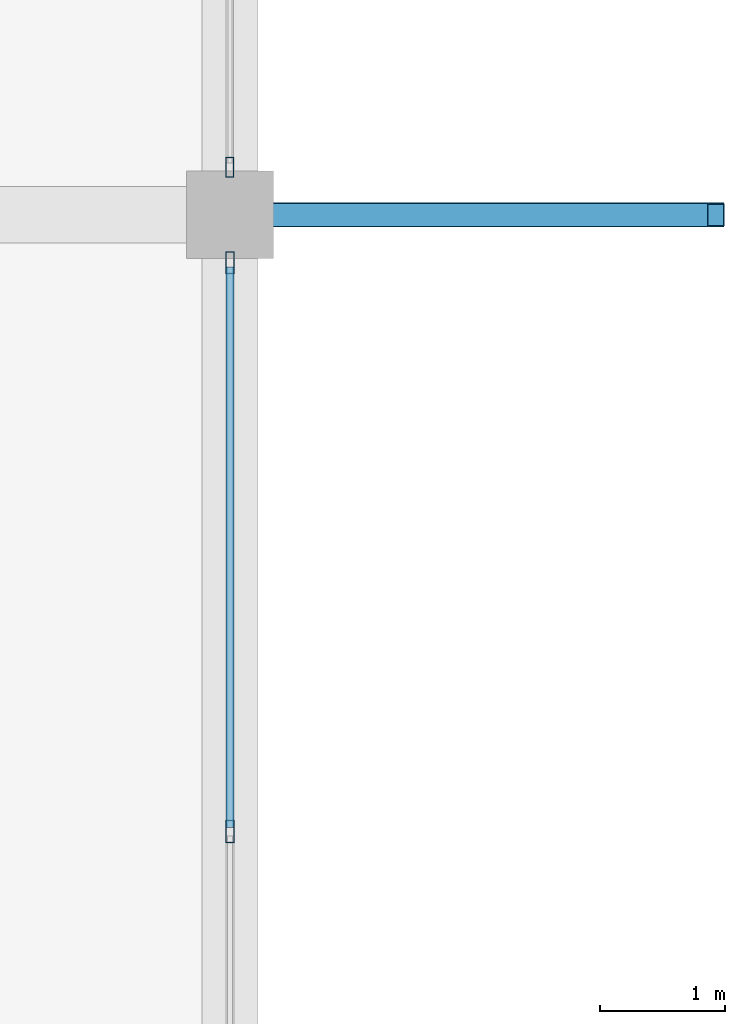
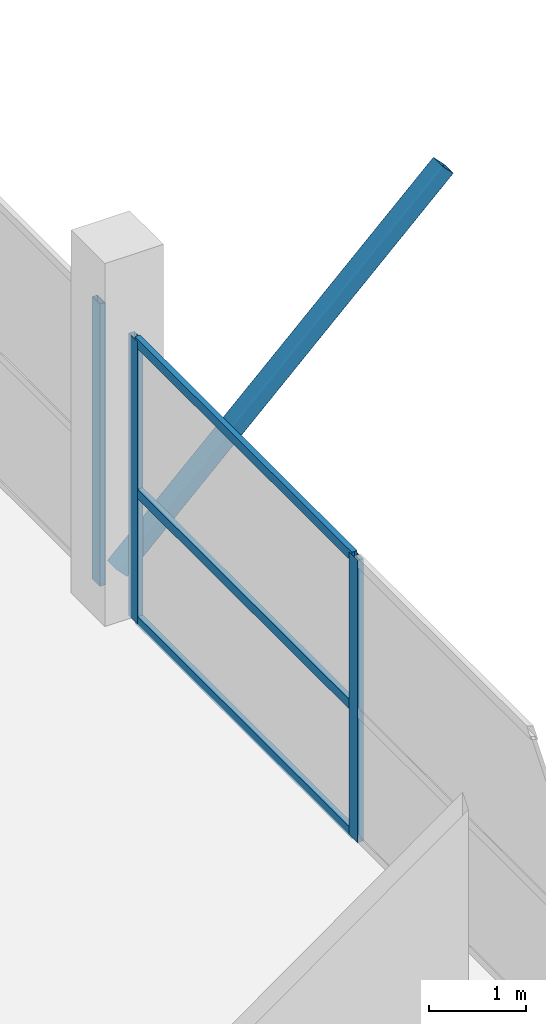
# One storey, part 21 of 49: 7 members, 2 elements without a shape of their own.
"""IFC4 building model written with IfcOpenShell, lengths in metres."""

from ifc_helpers import new_model, si_unit, direction, frame, origin, origin_2d, place, context, subcontext, project, spatial, hollow_rectangle, extrude, material, layer, layer_set, material_profile, profile_set, type_object, element, aggregate, save


model = new_model("IFC4")

# Units and contexts
model_context = context("Model", 3, precision=1e-05, world=origin(), true_north=direction((0.0, 1.0)))
body_context = subcontext(model_context, "Body", "Model", "MODEL_VIEW")
ifc_project = project(units=[si_unit("LENGTHUNIT", "METRE"), si_unit("AREAUNIT", "SQUARE_METRE"), si_unit("VOLUMEUNIT", "CUBIC_METRE"), si_unit("PLANEANGLEUNIT", "RADIAN"), si_unit("MASSUNIT", "GRAM", prefix="KILO")], contexts=[model_context])

# Site, building, storey
site_placement = place(None, origin())
site = spatial("IfcSite", under=ifc_project, at=site_placement, CompositionType="ELEMENT")
building_placement = place(site_placement, origin())
building = spatial("IfcBuilding", under=site, at=building_placement, Name="Sillaruma Civic Art Gallery", CompositionType="ELEMENT")
storey_placement = place(building_placement, frame((0.0, 0.0, 33.14990234375)))
storey = spatial("IfcBuildingStorey", under=building, at=storey_placement, Name="L06", CompositionType="ELEMENT", Elevation=33.14990234375)

# Curtain wall, member
ifc_material_1 = material(Name="Thermally Broken Extruded Aluminium 6063-T6", Category="aluminium")
ifc_layer_1 = layer(ifc_material_1, 0.159912109375, Name="Thermally Broken Extruded Aluminium 6063-T6")
ifc_layer_set_1 = layer_set([ifc_layer_1], Name="Thermally Broken Extruded Aluminium 6063-T6")
curtain_wall_type_1 = type_object("IfcCurtainWallType", Name="CW-UNI-35", PredefinedType="NOTDEFINED", material=ifc_layer_set_1)
curtain_wall_1_placement = place(storey_placement, origin())
curtain_wall_1 = element("IfcCurtainWall", 1, at=curtain_wall_1_placement, inside=storey, type_object=curtain_wall_type_1, Name="Unitised Curtain Wall CW-35 (CW-L06-E-5)", PredefinedType="NOTDEFINED")
ifc_material_profile_1 = material_profile(ifc_material_1, hollow_rectangle(XDim=0.06494140625, YDim=0.159912109375, WallThickness=0.00390625, at=origin_2d()), Name="CWM65x160")
ifc_profile_set_1 = profile_set([ifc_material_profile_1], Name="Thermally Broken Extruded Aluminium 6063-T6")
member_type_1 = type_object("IfcMemberType", Name="MEM-MUL-CWM65x160", PredefinedType="MULLION", material=ifc_profile_set_1)
member_1_placement = place(storey_placement, frame((114.39990234375, 59.782470703125, 0.0), z_axis=(0.0, 0.0, 1.0), x_axis=(-1.0, 0.0, 0.0)))
member_1 = element("IfcMember", 2, at=member_1_placement, type_object=member_type_1, Name="CW-35 mullion 1", PredefinedType="MULLION", context=body_context, shape_type="SweptSolid", body=[
    extrude(hollow_rectangle(XDim=0.06494140625, YDim=0.159912109375, WallThickness=0.00390625, at=origin_2d()), origin(), (0.0, 0.0, 1.0), 3.570068359375),
])
aggregate(curtain_wall_1, [member_1])

# Curtain wall, members
ifc_layer_2 = layer(ifc_material_1, 0.179931640625, Name="Thermally Broken Extruded Aluminium 6063-T6")
ifc_layer_set_2 = layer_set([ifc_layer_2], Name="Thermally Broken Extruded Aluminium 6063-T6")
curtain_wall_type_2 = type_object("IfcCurtainWallType", Name="CW-UNI-34", PredefinedType="NOTDEFINED", material=ifc_layer_set_2)
curtain_wall_2_placement = place(storey_placement, origin())
curtain_wall_2 = element("IfcCurtainWall", 3, at=curtain_wall_2_placement, inside=storey, type_object=curtain_wall_type_2, Name="Unitised Curtain Wall CW-34 (CW-L06-E-4)", PredefinedType="NOTDEFINED")
ifc_material_profile_2 = material_profile(ifc_material_1, hollow_rectangle(XDim=0.070068359375, YDim=0.179931640625, WallThickness=0.00390625, at=origin_2d()), Name="CWM70x180")
ifc_profile_set_2 = profile_set([ifc_material_profile_2], Name="Thermally Broken Extruded Aluminium 6063-T6")
member_type_2 = type_object("IfcMemberType", Name="MEM-MUL-CWM70x180", PredefinedType="MULLION", material=ifc_profile_set_2)
member_2_placement = place(storey_placement, frame((114.39990234375, 54.449951171875, 0.0), z_axis=(0.0, 0.0, 1.0), x_axis=(-1.0, 0.0, 0.0)))
member_2 = element("IfcMember", 4, at=member_2_placement, type_object=member_type_2, Name="CW-34 mullion 2", PredefinedType="MULLION", context=body_context, shape_type="SweptSolid", body=[
    extrude(hollow_rectangle(XDim=0.070068359375, YDim=0.179931640625, WallThickness=0.00390625, at=origin_2d()), origin(), (0.0, 0.0, 1.0), 3.570068359375),
])
member_3_placement = place(storey_placement, frame((114.39990234375, 59.014892578125, 0.0), z_axis=(0.0, 0.0, 1.0), x_axis=(-1.0, 0.0, 0.0)))
member_3 = element("IfcMember", 5, at=member_3_placement, type_object=member_type_2, Name="CW-34 mullion 3", PredefinedType="MULLION", context=body_context, shape_type="SweptSolid", body=[
    extrude(hollow_rectangle(XDim=0.070068359375, YDim=0.179931640625, WallThickness=0.00390625, at=origin_2d()), origin(), (0.0, 0.0, 1.0), 3.570068359375),
])

# Member
ifc_material_2 = material(Name="Structural Steel ASTM A500 Gr.C", Category="steel")
ifc_material_profile_3 = material_profile(ifc_material_2, hollow_rectangle(XDim=0.199951171875, YDim=0.199951171875, WallThickness=0.010009765625, InnerFilletRadius=0.010009765625, OuterFilletRadius=0.02001953125, at=origin_2d()), Name="HSS200x200x10")
ifc_profile_set_3 = profile_set([ifc_material_profile_3], Name="Structural Steel ASTM A500 Gr.C")
member_type_3 = type_object("IfcMemberType", Name="MEM-PROW-BRACE", PredefinedType="BRACE", material=ifc_profile_set_3)
member_4_placement = place(storey_placement, frame((114.39990234375, 59.39990234375, 0.400146484375), z_axis=(0.722290229857, 0.0, 0.691590069227), x_axis=(0.0, 1.0, 0.0)))
element("IfcMember", 6, at=member_4_placement, inside=storey, type_object=member_type_3, Name="Deconstructivist Prow Diagonal Brace (PRW-L07-E-FLR-S)", PredefinedType="BRACE", context=body_context, shape_type="SweptSolid", body=[
    extrude(hollow_rectangle(XDim=0.199951171875, YDim=0.199951171875, WallThickness=0.010009765625, InnerFilletRadius=0.010009765625, OuterFilletRadius=0.02001953125, at=origin_2d()), origin(), (0.0, 0.0, 1.0), 5.399658203125),
])

ifc_material_profile_4 = material_profile(ifc_material_1, hollow_rectangle(XDim=0.06494140625, YDim=0.1201171875, WallThickness=0.00341796875, at=origin_2d()), Name="CWT65x120")
ifc_profile_set_4 = profile_set([ifc_material_profile_4], Name="Thermally Broken Extruded Aluminium 6063-T6")
member_type_4 = type_object("IfcMemberType", Name="MEM-TRN-CWT65x120", PredefinedType="USERDEFINED", material=ifc_profile_set_4)
member_5_placement = place(storey_placement, frame((114.39990234375, 54.485107421875, 0.03271484375), z_axis=(0.0, 1.0, 0.0), x_axis=(-1.0, 0.0, 0.0)))
member_5 = element("IfcMember", 7, at=member_5_placement, type_object=member_type_4, Name="CW-34 transom 2.1", ObjectType="TRANSOM", PredefinedType="USERDEFINED", context=body_context, shape_type="SweptSolid", body=[
    extrude(hollow_rectangle(XDim=0.06494140625, YDim=0.1201171875, WallThickness=0.00341796875, at=origin_2d()), origin(), (0.0, 0.0, 1.0), 4.494873046875),
])

member_6_placement = place(storey_placement, frame((114.39990234375, 54.485107421875, 1.642333984375), z_axis=(0.0, 1.0, 0.0), x_axis=(-1.0, 0.0, 0.0)))
member_6 = element("IfcMember", 8, at=member_6_placement, type_object=member_type_4, Name="CW-34 transom 2.2", ObjectType="TRANSOM", PredefinedType="USERDEFINED", context=body_context, shape_type="SweptSolid", body=[
    extrude(hollow_rectangle(XDim=0.06494140625, YDim=0.1201171875, WallThickness=0.00341796875, at=origin_2d()), origin(), (0.0, 0.0, 1.0), 4.494873046875),
])

member_7_placement = place(storey_placement, frame((114.39990234375, 54.485107421875, 3.53759765625), z_axis=(0.0, 1.0, 0.0), x_axis=(-1.0, 0.0, 0.0)))
member_7 = element("IfcMember", 9, at=member_7_placement, type_object=member_type_4, Name="CW-34 transom 2.3", ObjectType="TRANSOM", PredefinedType="USERDEFINED", context=body_context, shape_type="SweptSolid", body=[
    extrude(hollow_rectangle(XDim=0.06494140625, YDim=0.1201171875, WallThickness=0.00341796875, at=origin_2d()), origin(), (0.0, 0.0, 1.0), 4.494873046875),
])

aggregate(curtain_wall_2, [member_2, member_3, member_5, member_6, member_7])

save(model, "model.ifc")
